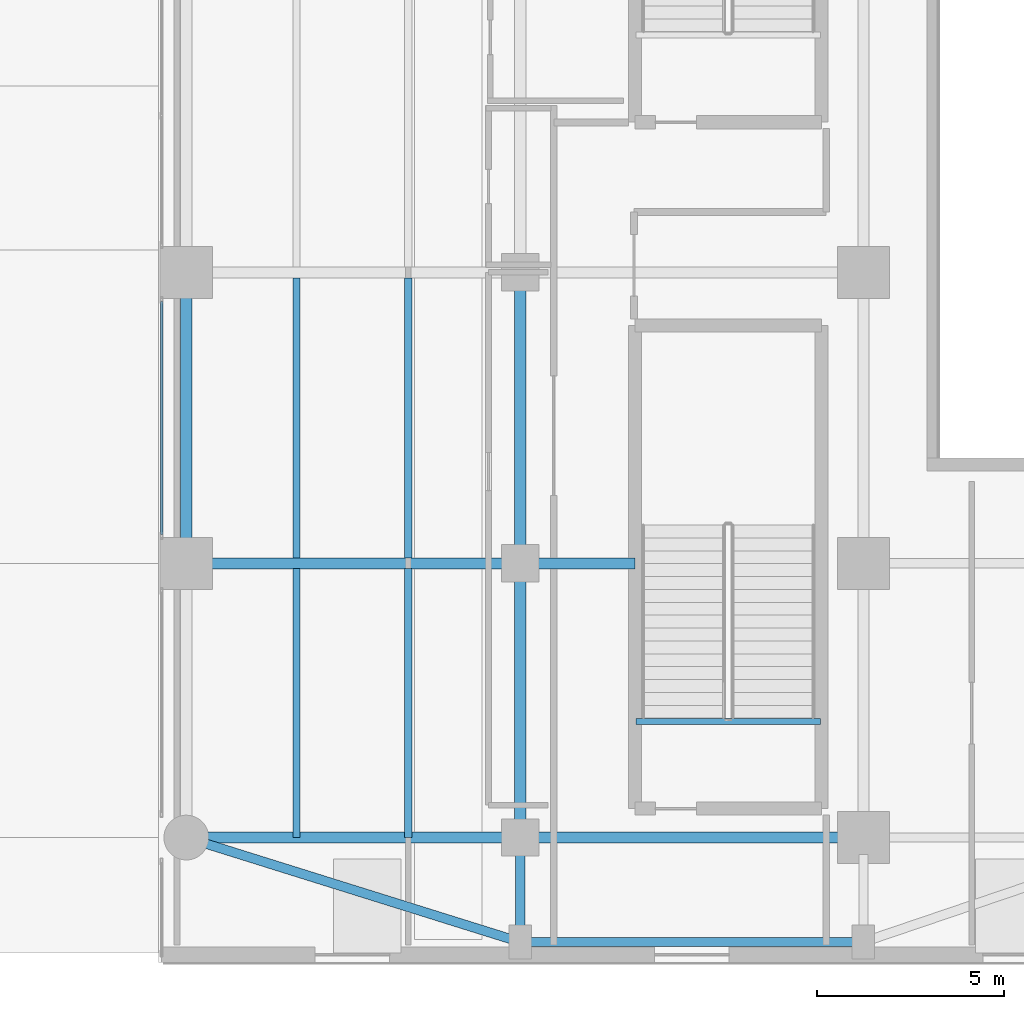
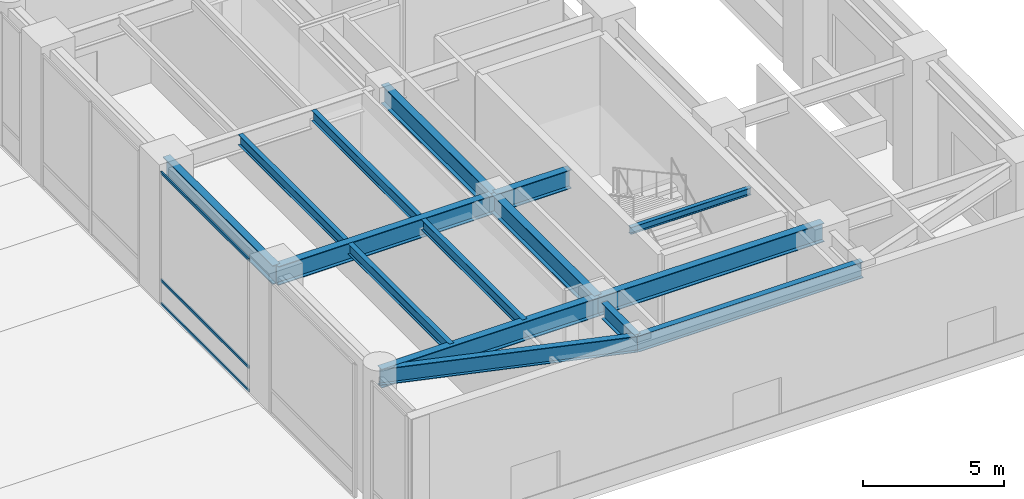
# One storey, part 9 of 28: 15 beams, 3 members, 1 element without a shape of its own.
"""IFC4 building model written with IfcOpenShell, lengths in metres."""

from ifc_helpers import new_model, si_unit, direction, frame, origin, origin_2d, place, context, subcontext, project, spatial, hollow_rectangle, i_section, extrude, source, transform, mapped, material, layer, layer_set, material_profile, profile_set, type_object, type_shapes, element, aggregate, save


model = new_model("IFC4")

# Units and contexts
model_context = context("Model", 3, precision=1e-05, world=origin(), true_north=direction((0.0, 1.0)))
body_context = subcontext(model_context, "Body", "Model", "MODEL_VIEW")
ifc_project = project(units=[si_unit("LENGTHUNIT", "METRE"), si_unit("AREAUNIT", "SQUARE_METRE"), si_unit("VOLUMEUNIT", "CUBIC_METRE"), si_unit("PLANEANGLEUNIT", "RADIAN"), si_unit("MASSUNIT", "GRAM", prefix="KILO")], contexts=[model_context])

# Site, building, storey
site_placement = place(None, origin())
site = spatial("IfcSite", under=ifc_project, at=site_placement, CompositionType="ELEMENT")
building_placement = place(site_placement, origin())
building = spatial("IfcBuilding", under=site, at=building_placement, Name="Tolvann Quenvar Hotel", CompositionType="ELEMENT")
storey_placement = place(building_placement, origin())
storey = spatial("IfcBuildingStorey", under=building, at=storey_placement, Name="L00", CompositionType="ELEMENT", Elevation=0.0)

# Beams
ifc_material_1 = material(Name="Steel Grade 350", Category="steel")
ifc_material_profile_1 = material_profile(ifc_material_1, i_section(OverallWidth=0.300048828125, OverallDepth=0.81591796875, WebThickness=0.010009765625, FlangeThickness=0.028076171875, at=origin_2d()), Name="800WB192")
ifc_profile_set_1 = profile_set([ifc_material_profile_1], Name="Steel Grade 350")
beam_type_1 = type_object("IfcBeamType", Name="BM_GIRD_800WB192", PredefinedType="BEAM", material=ifc_profile_set_1)
shared_shape_1 = source(origin(), body_context, "Body", "SweptSolid", [
    extrude(i_section(OverallWidth=0.300048828125, OverallDepth=0.81591796875, WebThickness=0.010009765625, FlangeThickness=0.028076171875, at=origin_2d()), origin(), (0.0, 0.0, 1.0), 7.349853515625),
])
beam_1_placement = place(storey_placement, frame((47.199951171875, 0.85009765625, 5.33203125), z_axis=(0.0, 1.0, 0.0), x_axis=(-1.0, 0.0, 0.0)))
element("IfcBeam", 1, at=beam_1_placement, inside=storey, type_object=beam_type_1, Name="BM-L00-NS-H-0", PredefinedType="BEAM", context=body_context, shape_type="MappedRepresentation", body=[
    mapped(shared_shape_1, transform((0.0, 0.0, 0.0), x_axis=(1.0, 0.0, 0.0), y_axis=(0.0, 1.0, 0.0), z_axis=(0.0, 0.0, 1.0), scale=1.0)),
])
shared_shape_2 = source(origin(), body_context, "Body", "SweptSolid", [
    extrude(i_section(OverallWidth=0.300048828125, OverallDepth=0.81591796875, WebThickness=0.010009765625, FlangeThickness=0.028076171875, at=origin_2d()), origin(), (0.0, 0.0, 1.0), 7.800048828125),
])
for number, where, z_axis, x_axis, name in (
    (2, (38.25, 8.199951171875, 5.33203125), (0.0, 1.0, 0.0), (-1.0, 0.0, 0.0), "BM-L00-NS-APE-1"),
    (3, (47.199951171875, 8.199951171875, 5.33203125), (0.0, 1.0, 0.0), (-1.0, 0.0, 0.0), "BM-L00-NS-H-1"),
):
    element("IfcBeam", number, at=place(storey_placement, frame(where, z_axis=z_axis, x_axis=x_axis)), inside=storey, type_object=beam_type_1, Name=name, PredefinedType="BEAM", context=body_context, shape_type="MappedRepresentation", body=[
        mapped(shared_shape_2, transform((0.0, 0.0, 0.0), x_axis=(1.0, 0.0, 0.0), y_axis=(0.0, 1.0, 0.0), z_axis=(0.0, 0.0, 1.0), scale=1.0)),
    ])
shared_shape_3 = source(origin(), body_context, "Body", "SweptSolid", [
    extrude(i_section(OverallWidth=0.300048828125, OverallDepth=0.81591796875, WebThickness=0.010009765625, FlangeThickness=0.028076171875, at=origin_2d()), origin(), (0.0, 0.0, 1.0), 8.949951171875),
])
for number, where, z_axis, x_axis, name in (
    (4, (38.25, 0.85009765625, 5.33203125), (1.0, 0.0, 0.0), (0.0, 1.0, 0.0), "BM-L00-GE1-1"),
    (5, (38.25, 8.199951171875, 5.33203125), (1.0, 0.0, 0.0), (0.0, 1.0, 0.0), "BM-L00-GE1-2"),
):
    element("IfcBeam", number, at=place(storey_placement, frame(where, z_axis=z_axis, x_axis=x_axis)), inside=storey, type_object=beam_type_1, Name=name, PredefinedType="BEAM", context=body_context, shape_type="MappedRepresentation", body=[
        mapped(shared_shape_3, transform((0.0, 0.0, 0.0), x_axis=(1.0, 0.0, 0.0), y_axis=(0.0, 1.0, 0.0), z_axis=(0.0, 0.0, 1.0), scale=1.0)),
    ])
shared_shape_4 = source(origin(), body_context, "Body", "SweptSolid", [
    extrude(i_section(OverallWidth=0.300048828125, OverallDepth=0.81591796875, WebThickness=0.010009765625, FlangeThickness=0.028076171875, at=origin_2d()), origin(), (0.0, 0.0, 1.0), 9.199951171875),
])
beam_2_placement = place(storey_placement, frame((47.199951171875, 0.85009765625, 5.33203125), z_axis=(1.0, 0.0, 0.0), x_axis=(0.0, 1.0, 0.0)))
element("IfcBeam", 6, at=beam_2_placement, inside=storey, type_object=beam_type_1, Name="BM-L00-GE2-1", PredefinedType="BEAM", context=body_context, shape_type="MappedRepresentation", body=[
    mapped(shared_shape_4, transform((0.0, 0.0, 0.0), x_axis=(1.0, 0.0, 0.0), y_axis=(0.0, 1.0, 0.0), z_axis=(0.0, 0.0, 1.0), scale=1.0)),
])
ifc_material_profile_2 = material_profile(ifc_material_1, i_section(OverallWidth=0.25, OverallDepth=0.699951171875, WebThickness=0.010009765625, FlangeThickness=0.02392578125, at=origin_2d()), Name="700WB150")
ifc_profile_set_2 = profile_set([ifc_material_profile_2], Name="Steel Grade 350")
beam_type_2 = type_object("IfcBeamType", Name="BM_GIRD_700WB150", PredefinedType="BEAM", material=ifc_profile_set_2)
shared_shape_5 = source(origin(), body_context, "Body", "SweptSolid", [
    extrude(i_section(OverallWidth=0.25, OverallDepth=0.699951171875, WebThickness=0.010009765625, FlangeThickness=0.02392578125, at=origin_2d()), origin(), (0.0, 0.0, 1.0), 2.349853515625),
])
beam_3_placement = place(storey_placement, frame((47.199951171875, -1.949951171875, 5.389892578125), z_axis=(0.0, 1.0, 0.0), x_axis=(-1.0, 0.0, 0.0)))
element("IfcBeam", 7, at=beam_3_placement, inside=storey, type_object=beam_type_2, Name="BM-L00-NSS-H", PredefinedType="BEAM", context=body_context, shape_type="MappedRepresentation", body=[
    mapped(shared_shape_5, transform((0.0, 0.0, 0.0), x_axis=(1.0, 0.0, 0.0), y_axis=(0.0, 1.0, 0.0), z_axis=(0.0, 0.0, 1.0), scale=1.0)),
])
shared_shape_6 = source(origin(), body_context, "Body", "SweptSolid", [
    extrude(i_section(OverallWidth=0.25, OverallDepth=0.699951171875, WebThickness=0.010009765625, FlangeThickness=0.02392578125, at=origin_2d()), origin(), (0.0, 0.0, 1.0), 9.377685546875),
])
beam_4_placement = place(storey_placement, frame((38.25, 0.85009765625, 5.389892578125), z_axis=(0.954383110647, -0.298584792166, 0.0), x_axis=(0.298584792166, 0.954383110647, 0.0)))
element("IfcBeam", 8, at=beam_4_placement, inside=storey, type_object=beam_type_2, Name="BM-L00-EWS-E0", PredefinedType="BEAM", context=body_context, shape_type="MappedRepresentation", body=[
    mapped(shared_shape_6, transform((0.0, 0.0, 0.0), x_axis=(1.0, 0.0, 0.0), y_axis=(0.0, 1.0, 0.0), z_axis=(0.0, 0.0, 1.0), scale=1.0)),
])
shared_shape_7 = source(origin(), body_context, "Body", "SweptSolid", [
    extrude(i_section(OverallWidth=0.25, OverallDepth=0.699951171875, WebThickness=0.010009765625, FlangeThickness=0.02392578125, at=origin_2d()), origin(), (0.0, 0.0, 1.0), 9.199951171875),
])
type_shapes(beam_type_2, [shared_shape_5, shared_shape_6, shared_shape_7])
beam_5_placement = place(storey_placement, frame((47.199951171875, -1.949951171875, 5.389892578125), z_axis=(1.0, 0.0, 0.0), x_axis=(0.0, 1.0, 0.0)))
element("IfcBeam", 9, at=beam_5_placement, inside=storey, type_object=beam_type_2, Name="BM-L00-EWS-E1", PredefinedType="BEAM", context=body_context, shape_type="MappedRepresentation", body=[
    mapped(shared_shape_7, transform((0.0, 0.0, 0.0), x_axis=(1.0, 0.0, 0.0), y_axis=(0.0, 1.0, 0.0), z_axis=(0.0, 0.0, 1.0), scale=1.0)),
])
ifc_material_profile_3 = material_profile(ifc_material_1, i_section(OverallWidth=0.18994140625, OverallDepth=0.4541015625, WebThickness=0.008544921875, FlangeThickness=0.0126953125, FilletRadius=0.011474609375, at=origin_2d()), Name="460UB67")
ifc_profile_set_3 = profile_set([ifc_material_profile_3], Name="Steel Grade 350")
beam_type_3 = type_object("IfcBeamType", Name="BM_JOIST_460UB67", PredefinedType="JOIST", material=ifc_profile_set_3)
shared_shape_8 = source(origin(), body_context, "Body", "SweptSolid", [
    extrude(i_section(OverallWidth=0.18994140625, OverallDepth=0.4541015625, WebThickness=0.008544921875, FlangeThickness=0.0126953125, FilletRadius=0.011474609375, at=origin_2d()), origin(), (0.0, 0.0, 1.0), 7.205810546875),
])
for number, where, z_axis, x_axis, name in (
    (10, (41.199951171875, 0.85009765625, 5.512939453125), (0.0, 1.0, 0.0), (-1.0, 0.0, 0.0), "BJ-L00-412-8"),
    (11, (44.199951171875, 0.85009765625, 5.512939453125), (0.0, 1.0, 0.0), (-1.0, 0.0, 0.0), "BJ-L00-442-8"),
):
    element("IfcBeam", number, at=place(storey_placement, frame(where, z_axis=z_axis, x_axis=x_axis)), inside=storey, type_object=beam_type_3, Name=name, PredefinedType="JOIST", context=body_context, shape_type="MappedRepresentation", body=[
        mapped(shared_shape_8, transform((0.0, 0.0, 0.0), x_axis=(1.0, 0.0, 0.0), y_axis=(0.0, 1.0, 0.0), z_axis=(0.0, 0.0, 1.0), scale=1.0)),
    ])
shared_shape_9 = source(origin(), body_context, "Body", "SweptSolid", [
    extrude(i_section(OverallWidth=0.18994140625, OverallDepth=0.4541015625, WebThickness=0.008544921875, FlangeThickness=0.0126953125, FilletRadius=0.011474609375, at=origin_2d()), origin(), (0.0, 0.0, 1.0), 7.511962890625),
])
type_shapes(beam_type_3, [shared_shape_8, shared_shape_9])
for number, where, z_axis, x_axis, name in (
    (12, (41.199951171875, 8.343994140625, 5.512939453125), (0.0, 1.0, 0.0), (-1.0, 0.0, 0.0), "BJ-L00-412-82"),
    (13, (44.199951171875, 8.343994140625, 5.512939453125), (0.0, 1.0, 0.0), (-1.0, 0.0, 0.0), "BJ-L00-442-82"),
):
    element("IfcBeam", number, at=place(storey_placement, frame(where, z_axis=z_axis, x_axis=x_axis)), inside=storey, type_object=beam_type_3, Name=name, PredefinedType="JOIST", context=body_context, shape_type="MappedRepresentation", body=[
        mapped(shared_shape_9, transform((0.0, 0.0, 0.0), x_axis=(1.0, 0.0, 0.0), y_axis=(0.0, 1.0, 0.0), z_axis=(0.0, 0.0, 1.0), scale=1.0)),
    ])
shared_shape_10 = source(origin(), body_context, "Body", "SweptSolid", [
    extrude(i_section(OverallWidth=0.300048828125, OverallDepth=0.81591796875, WebThickness=0.010009765625, FlangeThickness=0.028076171875, at=origin_2d()), origin(), (0.0, 0.0, 1.0), 3.074951171875),
])
type_shapes(beam_type_1, [shared_shape_1, shared_shape_2, shared_shape_3, shared_shape_4, shared_shape_10])
beam_6_placement = place(storey_placement, frame((47.199951171875, 8.199951171875, 5.33203125), z_axis=(1.0, 0.0, 0.0), x_axis=(0.0, 1.0, 0.0)))
element("IfcBeam", 14, at=beam_6_placement, inside=storey, type_object=beam_type_1, Name="BM-L00-GE2-2", PredefinedType="BEAM", context=body_context, shape_type="MappedRepresentation", body=[
    mapped(shared_shape_10, transform((0.0, 0.0, 0.0), x_axis=(1.0, 0.0, 0.0), y_axis=(0.0, 1.0, 0.0), z_axis=(0.0, 0.0, 1.0), scale=1.0)),
])
ifc_material_profile_4 = material_profile(ifc_material_1, i_section(OverallWidth=0.166015625, OverallDepth=0.306884765625, WebThickness=0.006591796875, FlangeThickness=0.01171875, FilletRadius=0.011474609375, at=origin_2d()), Name="310UB46")
ifc_profile_set_4 = profile_set([ifc_material_profile_4], Name="Steel Grade 350")
beam_type_4 = type_object("IfcBeamType", Name="BM_JOIST_310UB46", PredefinedType="JOIST", material=ifc_profile_set_4)
shared_shape_11 = source(origin(), body_context, "Body", "SweptSolid", [
    extrude(i_section(OverallWidth=0.166015625, OverallDepth=0.306884765625, WebThickness=0.006591796875, FlangeThickness=0.01171875, FilletRadius=0.011474609375, at=origin_2d()), origin(), (0.0, 0.0, 1.0), 4.949951171875),
])
type_shapes(beam_type_4, [shared_shape_11])
beam_7_placement = place(storey_placement, frame((50.300048828125, 3.965087890625, 5.58642578125), z_axis=(1.0, 0.0, 0.0), x_axis=(0.0, 1.0, 0.0)))
element("IfcBeam", 15, at=beam_7_placement, inside=storey, type_object=beam_type_4, Name="BM-HDR-ST-P3-L01", PredefinedType="JOIST", context=body_context, shape_type="MappedRepresentation", body=[
    mapped(shared_shape_11, transform((0.0, 0.0, 0.0), x_axis=(1.0, 0.0, 0.0), y_axis=(0.0, 1.0, 0.0), z_axis=(0.0, 0.0, 1.0), scale=1.0)),
])

# Curtain wall, members
ifc_material_2 = material(Name="Thermally broken anodised architectural aluminium 6063-T6 and laminated low-E glass", Category="aluminium")
ifc_layer = layer(ifc_material_2, 0.179931640625)
ifc_layer_set = layer_set([ifc_layer], Name="Thermally broken anodised architectural aluminium 6063-T6 and laminated low-E glass")
curtain_wall_type = type_object("IfcCurtainWallType", Name="CW_SYS_ARCH_01", PredefinedType="USERDEFINED", material=ifc_layer_set)
curtain_wall_placement = place(storey_placement, origin())
curtain_wall = element("IfcCurtainWall", 16, at=curtain_wall_placement, inside=storey, type_object=curtain_wall_type, Name="Curtain Wall CW-ARCH-01 (CWR-L00-E03-S3)", ObjectType="UNITISED CURTAIN WALL", PredefinedType="USERDEFINED")
ifc_material_3 = material(Name="Anodised architectural aluminium 6063-T6 framing", Category="aluminium")
ifc_material_profile_5 = material_profile(ifc_material_3, hollow_rectangle(XDim=0.06005859375, YDim=0.1201171875, WallThickness=0.00341796875, at=origin_2d()), Name="120x60x3.5RHS")
ifc_profile_set_5 = profile_set([ifc_material_profile_5], Name="Anodised architectural aluminium 6063-T6 framing")
member_type = type_object("IfcMemberType", Name="CW_TRAN_120x60", PredefinedType="USERDEFINED", material=ifc_profile_set_5)
shared_shape_12 = source(origin(), body_context, "Body", "SweptSolid", [
    extrude(hollow_rectangle(XDim=0.06005859375, YDim=0.1201171875, WallThickness=0.00341796875, at=origin_2d()), origin(), (0.0, 0.0, 1.0), 6.251953125),
])
type_shapes(member_type, [shared_shape_12])
member_1_placement = place(storey_placement, frame((37.590087890625, 15.22607421875, 0.030029296875), z_axis=(0.0, -1.0, 0.0), x_axis=(1.0, 0.0, 0.0)))
member_1 = element("IfcMember", 17, at=member_1_placement, type_object=member_type, Name="CW-ARCH-01 transom 1.1", ObjectType="TRANSOM", PredefinedType="USERDEFINED", context=body_context, shape_type="MappedRepresentation", body=[
    mapped(shared_shape_12, transform((0.0, 0.0, 0.0), x_axis=(1.0, 0.0, 0.0), y_axis=(0.0, 1.0, 0.0), z_axis=(0.0, 0.0, 1.0), scale=1.0)),
])
member_2_placement = place(storey_placement, frame((37.590087890625, 15.22607421875, 1.050048828125), z_axis=(0.0, -1.0, 0.0), x_axis=(1.0, 0.0, 0.0)))
member_2 = element("IfcMember", 18, at=member_2_placement, type_object=member_type, Name="CW-ARCH-01 transom 1.2", ObjectType="TRANSOM", PredefinedType="USERDEFINED", context=body_context, shape_type="MappedRepresentation", body=[
    mapped(shared_shape_12, transform((0.0, 0.0, 0.0), x_axis=(1.0, 0.0, 0.0), y_axis=(0.0, 1.0, 0.0), z_axis=(0.0, 0.0, 1.0), scale=1.0)),
])
member_3_placement = place(storey_placement, frame((37.590087890625, 15.22607421875, 5.7099609375), z_axis=(0.0, -1.0, 0.0), x_axis=(1.0, 0.0, 0.0)))
member_3 = element("IfcMember", 19, at=member_3_placement, type_object=member_type, Name="CW-ARCH-01 transom 1.3", ObjectType="TRANSOM", PredefinedType="USERDEFINED", context=body_context, shape_type="MappedRepresentation", body=[
    mapped(shared_shape_12, transform((0.0, 0.0, 0.0), x_axis=(1.0, 0.0, 0.0), y_axis=(0.0, 1.0, 0.0), z_axis=(0.0, 0.0, 1.0), scale=1.0)),
])
aggregate(curtain_wall, [member_1, member_2, member_3])

save(model, "model.ifc")
